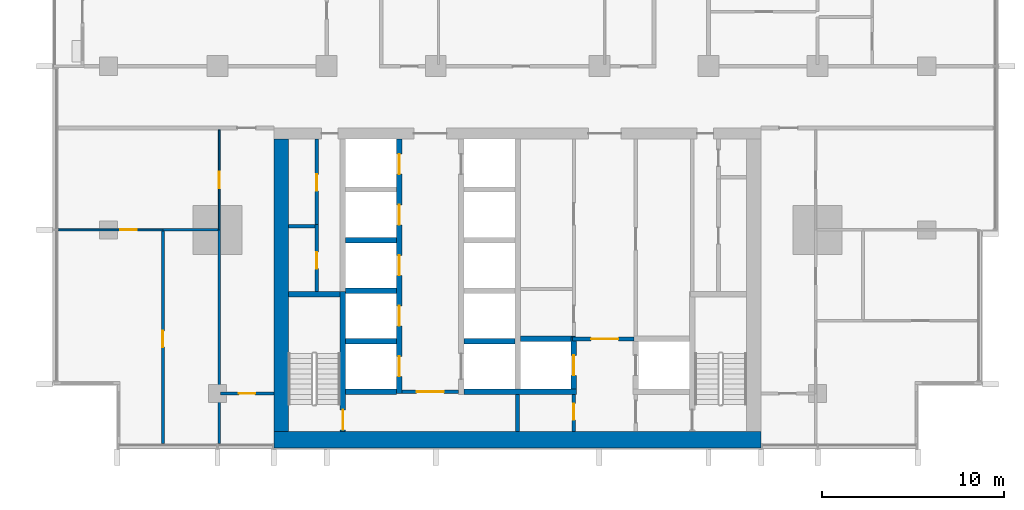
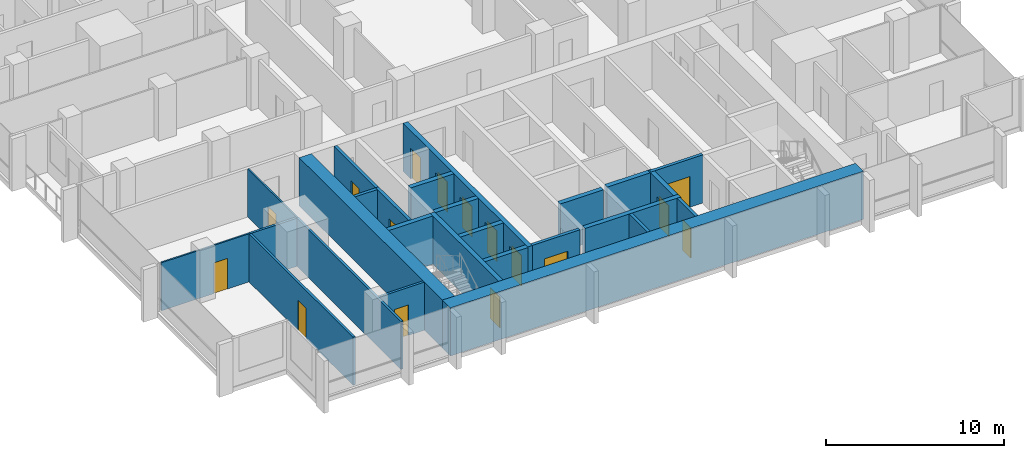
# One storey, part 7 of 17: 26 walls, 16 doors, 16 openings.
"""IFC4 building model written with IfcOpenShell, lengths in metres."""

from ifc_helpers import new_model, si_unit, direction, frame, frame_2d, origin, place, context, subcontext, project, spatial, rectangle, extrude, material, layer, layer_set, type_object, element, fill, save


model = new_model("IFC4")

# Units and contexts
model_context = context("Model", 3, precision=1e-05, world=origin(), true_north=direction((0.0, 1.0)))
body_context = subcontext(model_context, "Body", "Model", "MODEL_VIEW")
ifc_project = project(units=[si_unit("LENGTHUNIT", "METRE"), si_unit("AREAUNIT", "SQUARE_METRE"), si_unit("VOLUMEUNIT", "CUBIC_METRE"), si_unit("PLANEANGLEUNIT", "RADIAN"), si_unit("MASSUNIT", "GRAM", prefix="KILO")], contexts=[model_context])

# Site, building, storey
site_placement = place(None, origin())
site = spatial("IfcSite", under=ifc_project, at=site_placement, CompositionType="ELEMENT")
building_placement = place(site_placement, origin())
building = spatial("IfcBuilding", under=site, at=building_placement, Name="Finial Court Residences", CompositionType="ELEMENT")
storey_placement = place(building_placement, frame((0.0, 0.0, 91.89990234375)))
storey = spatial("IfcBuildingStorey", under=building, at=storey_placement, Name="L22", CompositionType="ELEMENT", Elevation=91.89990234375)

# Walls
ifc_material_1 = material(Name="Concrete C70/85", Category="concrete")
ifc_layer_1 = layer(ifc_material_1, 0.800048828125)
ifc_layer_set_1 = layer_set([ifc_layer_1], Name="Core outer wall 800 Concrete C70/85")
wall_type_1 = type_object("IfcWallType", Name="Core outer wall 800 Concrete C70/85", PredefinedType="SHEAR", material=ifc_layer_set_1)
wall_1_placement = place(storey_placement, frame((-13.0, -24.60009765625, 0.0), z_axis=(0.0, 0.0, 1.0), x_axis=(0.0, 1.0, 0.0)))
element("IfcWall", 1, at=wall_1_placement, inside=storey, type_object=wall_type_1, Name="Core outer wall L22-03", PredefinedType="SHEAR", context=body_context, shape_type="SweptSolid", body=[
    extrude(rectangle(XDim=16.10009765625, YDim=0.800048828125, at=frame_2d((8.050048828125, 0.0))), origin(), (0.0, 0.0, 1.0), 3.300048828125),
])
ifc_layer_2 = layer(ifc_material_1, 0.89990234375)
ifc_layer_set_2 = layer_set([ifc_layer_2], Name="Core south facade wall 900 Concrete C70/85")
wall_type_2 = type_object("IfcWallType", Name="Core south facade wall 900 Concrete C70/85", PredefinedType="SHEAR", material=ifc_layer_set_2)
wall_2_placement = place(storey_placement, frame((-13.39990234375, -25.050048828125, 0.0), z_axis=(0.0, 0.0, 1.0), x_axis=(1.0, 0.0, 0.0)))
element("IfcWall", 2, at=wall_2_placement, inside=storey, type_object=wall_type_2, Name="Core outer wall L22-01", PredefinedType="SHEAR", context=body_context, shape_type="SweptSolid", body=[
    extrude(rectangle(XDim=26.7998046875, YDim=0.89990234375, at=frame_2d((13.39990234375, 0.0))), origin(), (0.0, 0.0, 1.0), 3.300048828125),
])

# Wall, opening, door
ifc_material_2 = material(Name="Fire-rated gypsum board partition")
ifc_layer_3 = layer(ifc_material_2, 0.199951171875)
ifc_layer_set_3 = layer_set([ifc_layer_3], Name="Firefighting lobby wall 200 EI 120")
wall_type_3 = type_object("IfcWallType", Name="Firefighting lobby wall 200 EI 120", PredefinedType="PARTITIONING", material=ifc_layer_set_3)
wall_3_placement = place(storey_placement, frame((6.39990234375, -19.5, 0.0), z_axis=(0.0, 0.0, 1.0), x_axis=(-1.0, 0.0, 0.0)))
wall_3 = element("IfcWall", 3, at=wall_3_placement, inside=storey, type_object=wall_type_3, Name="Core partition L22-08", PredefinedType="PARTITIONING", context=body_context, shape_type="SweptSolid", body=[
    extrude(rectangle(XDim=3.375, YDim=0.199951171875, at=frame_2d((1.6875, 0.0))), origin(), (0.0, 0.0, 1.0), 3.300048828125),
])
opening_1_placement = place(wall_3_placement, frame((0.85009765625, 0.0, 0.0)))
opening_1 = element("IfcOpeningElement", 4, at=opening_1_placement, cuts=wall_3, Name="Opening L22-C02", PredefinedType="OPENING", context=body_context, shape_type="SweptSolid", body=[
    extrude(rectangle(XDim=1.5, YDim=2.10009765625, at=frame_2d((0.75, 1.050048828125))), frame((0.0, 0.10986328125, 0.0), z_axis=(0.0, -1.0, 0.0), x_axis=(1.0, 0.0, 0.0)), (0.0, 0.0, 1.0), 0.219970703125),
])
ifc_material_3 = material(Name="Steel fire door", Category="steel")
door_type_1 = type_object("IfcDoorType", Name="Firefighting lobby door 1500 x 2100 EI 90", OperationType="DOUBLE_DOOR_SINGLE_SWING", PredefinedType="DOOR", material=ifc_material_3)
door_1_placement = place(opening_1_placement, origin())
door_1 = element("IfcDoor", 5, at=door_1_placement, inside=storey, type_object=door_type_1, Name="Firefighting lobby door L22-C02", OperationType="DOUBLE_DOOR_SINGLE_SWING", OverallHeight=2.10009765625, OverallWidth=1.5, PredefinedType="DOOR", context=body_context, shape_type="SweptSolid", body=[
    extrude(rectangle(XDim=1.5, YDim=2.10009765625, at=frame_2d((0.75, 1.050048828125))), frame((0.0, 0.02490234375, 0.0), z_axis=(0.0, -1.0, 0.0), x_axis=(1.0, 0.0, 0.0)), (0.0, 0.0, 1.0), 0.050048828125),
])
fill(opening_1, door_1)

wall_4_placement = place(storey_placement, frame((3.10009765625, -24.60009765625, 0.0), z_axis=(0.0, 0.0, 1.0), x_axis=(0.0, 1.0, 0.0)))
wall_4 = element("IfcWall", 6, at=wall_4_placement, inside=storey, type_object=wall_type_3, Name="Core partition L22-29", PredefinedType="PARTITIONING", context=body_context, shape_type="SweptSolid", body=[
    extrude(rectangle(XDim=2.050048828125, YDim=0.199951171875, at=frame_2d((1.02490234375, 0.0))), origin(), (0.0, 0.0, 1.0), 3.300048828125),
])
opening_2_placement = place(wall_4_placement, frame((0.64990234375, 0.0, 0.0)))
opening_2 = element("IfcOpeningElement", 7, at=opening_2_placement, cuts=wall_4, Name="Opening L22-C06", PredefinedType="OPENING", context=body_context, shape_type="SweptSolid", body=[
    extrude(rectangle(XDim=0.89990234375, YDim=2.10009765625, at=frame_2d((0.449951171875, 1.050048828125))), frame((0.0, 0.10986328125, 0.0), z_axis=(0.0, -1.0, 0.0), x_axis=(1.0, 0.0, 0.0)), (0.0, 0.0, 1.0), 0.219970703125),
])
door_type_2 = type_object("IfcDoorType", Name="Riser room door 900 x 2100 EI 90", OperationType="NOTDEFINED", PredefinedType="DOOR", material=ifc_material_3)
door_2_placement = place(opening_2_placement, origin())
door_2 = element("IfcDoor", 8, at=door_2_placement, inside=storey, type_object=door_type_2, Name="Riser room door L22-C06", OperationType="SINGLE_SWING_LEFT", OverallHeight=2.10009765625, OverallWidth=0.89990234375, PredefinedType="DOOR", context=body_context, shape_type="SweptSolid", body=[
    extrude(rectangle(XDim=0.89990234375, YDim=2.10009765625, at=frame_2d((0.449951171875, 1.050048828125))), frame((0.0, 0.02490234375, 0.0), z_axis=(0.0, -1.0, 0.0), x_axis=(1.0, 0.0, 0.0)), (0.0, 0.0, 1.0), 0.050048828125),
])
fill(opening_2, door_2)

ifc_material_4 = material(Name="Gypsum board")
ifc_layer_4 = layer(ifc_material_4, 0.012451171875)
ifc_material_5 = material(Name="Mineral wool in light-gauge frame")
ifc_layer_5 = layer(ifc_material_5, 0.074951171875)
ifc_layer_6 = layer(ifc_material_4, 0.012451171875)
ifc_layer_set_4 = layer_set([ifc_layer_4, ifc_layer_5, ifc_layer_6], Name="Gypsum board partition 100")
wall_type_4 = type_object("IfcWallType", Name="Gypsum board partition 100", PredefinedType="PARTITIONING", material=ifc_layer_set_4)
wall_5_placement = place(storey_placement, frame((-25.25, -13.5, 0.0), z_axis=(0.0, 0.0, 1.0), x_axis=(1.0, 0.0, 0.0)))
wall_5 = element("IfcWall", 9, at=wall_5_placement, inside=storey, type_object=wall_type_4, Name="Partition L22-004", PredefinedType="PARTITIONING", context=body_context, shape_type="SweptSolid", body=[
    extrude(rectangle(XDim=5.75, YDim=0.10009765625, at=frame_2d((2.875, 0.0))), origin(), (0.0, 0.0, 1.0), 3.300048828125),
])
opening_3_placement = place(wall_5_placement, frame((3.39990234375, 0.0, 0.0)))
opening_3 = element("IfcOpeningElement", 10, at=opening_3_placement, cuts=wall_5, Name="Opening L22-D004", PredefinedType="OPENING", context=body_context, shape_type="SweptSolid", body=[
    extrude(rectangle(XDim=0.89990234375, YDim=2.10009765625, at=frame_2d((0.449951171875, 1.050048828125))), frame((0.0, 0.06005859375, 0.0), z_axis=(0.0, -1.0, 0.0), x_axis=(1.0, 0.0, 0.0)), (0.0, 0.0, 1.0), 0.1201171875),
])
ifc_material_6 = material(Name="Timber door leaf in timber frame", Category="wood")
door_type_3 = type_object("IfcDoorType", Name="Door set 900 x 2100", OperationType="SINGLE_SWING_LEFT", PredefinedType="DOOR", material=ifc_material_6)
door_3_placement = place(opening_3_placement, origin())
door_3 = element("IfcDoor", 11, at=door_3_placement, inside=storey, type_object=door_type_3, Name="Door L22-D004", OperationType="SINGLE_SWING_RIGHT", OverallHeight=2.10009765625, OverallWidth=0.89990234375, PredefinedType="DOOR", context=body_context, shape_type="SweptSolid", body=[
    extrude(rectangle(XDim=0.89990234375, YDim=2.10009765625, at=frame_2d((0.449951171875, 1.050048828125))), frame((0.0, 0.02490234375, 0.0), z_axis=(0.0, -1.0, 0.0), x_axis=(1.0, 0.0, 0.0)), (0.0, 0.0, 1.0), 0.050048828125),
])
fill(opening_3, door_3)

wall_6_placement = place(storey_placement, frame((-16.39990234375, -13.5, 0.0), z_axis=(0.0, 0.0, 1.0), x_axis=(0.0, 1.0, 0.0)))
wall_6 = element("IfcWall", 12, at=wall_6_placement, inside=storey, type_object=wall_type_4, Name="Partition L22-046", PredefinedType="PARTITIONING", context=body_context, shape_type="SweptSolid", body=[
    extrude(rectangle(XDim=5.5, YDim=0.10009765625, at=frame_2d((2.75, 0.0))), origin(), (0.0, 0.0, 1.0), 3.300048828125),
])
opening_4_placement = place(wall_6_placement, frame((2.300048828125, 0.0, 0.0)))
opening_4 = element("IfcOpeningElement", 13, at=opening_4_placement, cuts=wall_6, Name="Opening L22-D031", PredefinedType="OPENING", context=body_context, shape_type="SweptSolid", body=[
    extrude(rectangle(XDim=0.89990234375, YDim=2.10009765625, at=frame_2d((0.449951171875, 1.050048828125))), frame((0.0, 0.06005859375, 0.0), z_axis=(0.0, -1.0, 0.0), x_axis=(1.0, 0.0, 0.0)), (0.0, 0.0, 1.0), 0.1201171875),
])
door_4_placement = place(opening_4_placement, origin())
door_4 = element("IfcDoor", 14, at=door_4_placement, inside=storey, type_object=door_type_3, Name="Door L22-D031", OperationType="SINGLE_SWING_LEFT", OverallHeight=2.10009765625, OverallWidth=0.89990234375, PredefinedType="DOOR", context=body_context, shape_type="SweptSolid", body=[
    extrude(rectangle(XDim=0.89990234375, YDim=2.10009765625, at=frame_2d((0.449951171875, 1.050048828125))), frame((0.0, 0.02490234375, 0.0), z_axis=(0.0, -1.0, 0.0), x_axis=(1.0, 0.0, 0.0)), (0.0, 0.0, 1.0), 0.050048828125),
])
fill(opening_4, door_4)

ifc_material_7 = material(Name="Moisture-resistant gypsum board")
ifc_layer_7 = layer(ifc_material_7, 0.012451171875)
ifc_layer_8 = layer(ifc_material_5, 0.125)
ifc_layer_9 = layer(ifc_material_7, 0.012451171875)
ifc_layer_set_5 = layer_set([ifc_layer_7, ifc_layer_8, ifc_layer_9], Name="Gypsum board wet-area partition 150")
wall_type_5 = type_object("IfcWallType", Name="Gypsum board wet-area partition 150", PredefinedType="PARTITIONING", material=ifc_layer_set_5)
wall_7_placement = place(storey_placement, frame((-16.324951171875, -22.5, 0.0), z_axis=(0.0, 0.0, 1.0), x_axis=(1.0, 0.0, 0.0)))
wall_7 = element("IfcWall", 15, at=wall_7_placement, inside=storey, type_object=wall_type_5, Name="Partition L22-000", PredefinedType="PARTITIONING", context=body_context, shape_type="SweptSolid", body=[
    extrude(rectangle(XDim=2.925048828125, YDim=0.14990234375, at=frame_2d((1.46240234375, 0.0))), origin(), (0.0, 0.0, 1.0), 3.300048828125),
])
opening_5_placement = place(wall_7_placement, frame((1.0, 0.0, 0.0)))
opening_5 = element("IfcOpeningElement", 16, at=opening_5_placement, cuts=wall_7, Name="Opening L22-D001", PredefinedType="OPENING", context=body_context, shape_type="SweptSolid", body=[
    extrude(rectangle(XDim=0.89990234375, YDim=2.10009765625, at=frame_2d((0.449951171875, 1.050048828125))), frame((0.0, 0.0849609375, 0.0), z_axis=(0.0, -1.0, 0.0), x_axis=(1.0, 0.0, 0.0)), (0.0, 0.0, 1.0), 0.169921875),
])
door_5_placement = place(opening_5_placement, origin())
door_5 = element("IfcDoor", 17, at=door_5_placement, inside=storey, type_object=door_type_3, Name="Door L22-D001", OperationType="SINGLE_SWING_RIGHT", OverallHeight=2.10009765625, OverallWidth=0.89990234375, PredefinedType="DOOR", context=body_context, shape_type="SweptSolid", body=[
    extrude(rectangle(XDim=0.89990234375, YDim=2.10009765625, at=frame_2d((0.449951171875, 1.050048828125))), frame((0.0, 0.02490234375, 0.0), z_axis=(0.0, -1.0, 0.0), x_axis=(1.0, 0.0, 0.0)), (0.0, 0.0, 1.0), 0.050048828125),
])
fill(opening_5, door_5)

# Wall
wall_8_placement = place(storey_placement, frame((-19.5, -13.5, 0.0), z_axis=(0.0, 0.0, 1.0), x_axis=(1.0, 0.0, 0.0)))
element("IfcWall", 18, at=wall_8_placement, inside=storey, type_object=wall_type_5, Name="Partition L22-006", PredefinedType="PARTITIONING", context=body_context, shape_type="SweptSolid", body=[
    extrude(rectangle(XDim=3.02490234375, YDim=0.14990234375, at=frame_2d((1.512451171875, 0.0))), origin(), (0.0, 0.0, 1.0), 3.300048828125),
])

# Wall, opening, door
wall_9_placement = place(storey_placement, frame((-19.5, -25.25, 0.0), z_axis=(0.0, 0.0, 1.0), x_axis=(0.0, 1.0, 0.0)))
wall_9 = element("IfcWall", 19, at=wall_9_placement, inside=storey, type_object=wall_type_5, Name="Partition L22-042", PredefinedType="PARTITIONING", context=body_context, shape_type="SweptSolid", body=[
    extrude(rectangle(XDim=11.675048828125, YDim=0.14990234375, at=frame_2d((5.83740234375, 0.0))), origin(), (0.0, 0.0, 1.0), 3.300048828125),
])
opening_6_placement = place(wall_9_placement, frame((5.300048828125, 0.0, 0.0)))
opening_6 = element("IfcOpeningElement", 20, at=opening_6_placement, cuts=wall_9, Name="Opening L22-D029", PredefinedType="OPENING", context=body_context, shape_type="SweptSolid", body=[
    extrude(rectangle(XDim=0.89990234375, YDim=2.10009765625, at=frame_2d((0.449951171875, 1.050048828125))), frame((0.0, 0.0849609375, 0.0), z_axis=(0.0, -1.0, 0.0), x_axis=(1.0, 0.0, 0.0)), (0.0, 0.0, 1.0), 0.169921875),
])
door_6_placement = place(opening_6_placement, origin())
door_6 = element("IfcDoor", 21, at=door_6_placement, inside=storey, type_object=door_type_3, Name="Door L22-D029", OperationType="SINGLE_SWING_RIGHT", OverallHeight=2.10009765625, OverallWidth=0.89990234375, PredefinedType="DOOR", context=body_context, shape_type="SweptSolid", body=[
    extrude(rectangle(XDim=0.89990234375, YDim=2.10009765625, at=frame_2d((0.449951171875, 1.050048828125))), frame((0.0, 0.02490234375, 0.0), z_axis=(0.0, -1.0, 0.0), x_axis=(1.0, 0.0, 0.0)), (0.0, 0.0, 1.0), 0.050048828125),
])
fill(opening_6, door_6)

# Walls
wall_10_placement = place(storey_placement, frame((-16.39990234375, -25.25, 0.0), z_axis=(0.0, 0.0, 1.0), x_axis=(0.0, 1.0, 0.0)))
element("IfcWall", 22, at=wall_10_placement, inside=storey, type_object=wall_type_5, Name="Partition L22-047", PredefinedType="PARTITIONING", context=body_context, shape_type="SweptSolid", body=[
    extrude(rectangle(XDim=11.75, YDim=0.14990234375, at=frame_2d((5.875, 0.0))), origin(), (0.0, 0.0, 1.0), 3.300048828125),
])
ifc_layer_10 = layer(ifc_material_1, 0.300048828125)
ifc_layer_set_6 = layer_set([ifc_layer_10], Name="Lift shaft and stair wall 300 Concrete C70/85")
wall_type_6 = type_object("IfcWallType", Name="Lift shaft and stair wall 300 Concrete C70/85", PredefinedType="SHEAR", material=ifc_layer_set_6)
wall_11_placement = place(storey_placement, frame((-9.449951171875, -22.39990234375, 0.0), z_axis=(0.0, 0.0, 1.0), x_axis=(1.0, 0.0, 0.0)))
element("IfcWall", 23, at=wall_11_placement, inside=storey, type_object=wall_type_6, Name="Core wall L22-01", PredefinedType="SHEAR", context=body_context, shape_type="SweptSolid", body=[
    extrude(rectangle(XDim=2.800048828125, YDim=0.300048828125, at=frame_2d((1.39990234375, 0.0))), origin(), (0.0, 0.0, 1.0), 3.300048828125),
])
wall_12_placement = place(storey_placement, frame((-2.949951171875, -22.39990234375, 0.0), z_axis=(0.0, 0.0, 1.0), x_axis=(1.0, 0.0, 0.0)))
element("IfcWall", 24, at=wall_12_placement, inside=storey, type_object=wall_type_6, Name="Core wall L22-03", PredefinedType="SHEAR", context=body_context, shape_type="SweptSolid", body=[
    extrude(rectangle(XDim=6.199951171875, YDim=0.300048828125, at=frame_2d((3.10009765625, 0.0))), origin(), (0.0, 0.0, 1.0), 3.300048828125),
])
for number, where, z_axis, x_axis, name in (
    (25, (-9.449951171875, -19.6201171875, 0.0), (0.0, 0.0, 1.0), (1.0, 0.0, 0.0), "Core wall L22-05"),
    (26, (-2.949951171875, -19.6201171875, 0.0), (0.0, 0.0, 1.0), (1.0, 0.0, 0.0), "Core wall L22-06"),
):
    element("IfcWall", number, at=place(storey_placement, frame(where, z_axis=z_axis, x_axis=x_axis)), inside=storey, type_object=wall_type_6, Name=name, PredefinedType="SHEAR", context=body_context, shape_type="SweptSolid", body=[
        extrude(rectangle(XDim=2.800048828125, YDim=0.300048828125, at=frame_2d((1.39990234375, 0.0))), origin(), (0.0, 0.0, 1.0), 3.300048828125),
    ])
wall_13_placement = place(storey_placement, frame((0.14990234375, -19.5, 0.0), z_axis=(0.0, 0.0, 1.0), x_axis=(1.0, 0.0, 0.0)))
element("IfcWall", 27, at=wall_13_placement, inside=storey, type_object=wall_type_6, Name="Core wall L22-07", PredefinedType="SHEAR", context=body_context, shape_type="SweptSolid", body=[
    extrude(rectangle(XDim=3.025146484375, YDim=0.300048828125, at=frame_2d((1.5126953125, 0.0))), origin(), (0.0, 0.0, 1.0), 3.300048828125),
])
wall_14_placement = place(storey_placement, frame((-12.60009765625, -17.050048828125, 0.0), z_axis=(0.0, 0.0, 1.0), x_axis=(1.0, 0.0, 0.0)))
element("IfcWall", 28, at=wall_14_placement, inside=storey, type_object=wall_type_6, Name="Core wall L22-10", PredefinedType="SHEAR", context=body_context, shape_type="SweptSolid", body=[
    extrude(rectangle(XDim=2.85009765625, YDim=0.300048828125, at=frame_2d((1.425048828125, 0.0))), origin(), (0.0, 0.0, 1.0), 3.300048828125),
])
for number, where, z_axis, x_axis, name in (
    (29, (-9.449951171875, -16.840087890625, 0.0), (0.0, 0.0, 1.0), (1.0, 0.0, 0.0), "Core wall L22-12"),
    (30, (-9.449951171875, -14.06005859375, 0.0), (0.0, 0.0, 1.0), (1.0, 0.0, 0.0), "Core wall L22-15"),
):
    element("IfcWall", number, at=place(storey_placement, frame(where, z_axis=z_axis, x_axis=x_axis)), inside=storey, type_object=wall_type_6, Name=name, PredefinedType="SHEAR", context=body_context, shape_type="SweptSolid", body=[
        extrude(rectangle(XDim=2.800048828125, YDim=0.300048828125, at=frame_2d((1.39990234375, 0.0))), origin(), (0.0, 0.0, 1.0), 3.300048828125),
    ])

# Wall, opening, door
wall_15_placement = place(storey_placement, frame((-9.60009765625, -24.60009765625, 0.0), z_axis=(0.0, 0.0, 1.0), x_axis=(0.0, 1.0, 0.0)))
wall_15 = element("IfcWall", 31, at=wall_15_placement, inside=storey, type_object=wall_type_6, Name="Core wall L22-23", PredefinedType="SHEAR", context=body_context, shape_type="SweptSolid", body=[
    extrude(rectangle(XDim=7.7001953125, YDim=0.300048828125, at=frame_2d((3.85009765625, 0.0))), origin(), (0.0, 0.0, 1.0), 3.300048828125),
])
opening_7_placement = place(wall_15_placement, frame((0.10009765625, 0.0, 0.0)))
opening_7 = element("IfcOpeningElement", 32, at=opening_7_placement, cuts=wall_15, Name="Opening L22-C16", PredefinedType="OPENING", context=body_context, shape_type="SweptSolid", body=[
    extrude(rectangle(XDim=1.10009765625, YDim=2.10009765625, at=frame_2d((0.550048828125, 1.050048828125))), frame((0.0, 0.159912109375, 0.0), z_axis=(0.0, -1.0, 0.0), x_axis=(1.0, 0.0, 0.0)), (0.0, 0.0, 1.0), 0.320068359375),
])
door_type_4 = type_object("IfcDoorType", Name="Stair door 1100 x 2100 EI 90", OperationType="NOTDEFINED", PredefinedType="DOOR", material=ifc_material_3)
door_7_placement = place(opening_7_placement, origin())
door_7 = element("IfcDoor", 33, at=door_7_placement, inside=storey, type_object=door_type_4, Name="Stair door L22-C16", OperationType="SINGLE_SWING_LEFT", OverallHeight=2.10009765625, OverallWidth=1.10009765625, PredefinedType="DOOR", context=body_context, shape_type="SweptSolid", body=[
    extrude(rectangle(XDim=1.10009765625, YDim=2.10009765625, at=frame_2d((0.550048828125, 1.050048828125))), frame((0.0, 0.02490234375, 0.0), z_axis=(0.0, -1.0, 0.0), x_axis=(1.0, 0.0, 0.0)), (0.0, 0.0, 1.0), 0.050048828125),
])
fill(opening_7, door_7)

# Wall, openings, doors
wall_16_placement = place(storey_placement, frame((-6.5, -22.5, 0.0), z_axis=(0.0, 0.0, 1.0), x_axis=(0.0, 1.0, 0.0)))
wall_16 = element("IfcWall", 34, at=wall_16_placement, inside=storey, type_object=wall_type_6, Name="Core wall L22-25", PredefinedType="SHEAR", context=body_context, shape_type="SweptSolid", body=[
    extrude(rectangle(XDim=14.0, YDim=0.300048828125, at=frame_2d((7.0, 0.0))), origin(), (0.0, 0.0, 1.0), 3.300048828125),
])
opening_8_placement = place(wall_16_placement, frame((0.93994140625, 0.0, 0.0)))
opening_8 = element("IfcOpeningElement", 35, at=opening_8_placement, cuts=wall_16, Name="Opening L22-LD03", PredefinedType="OPENING", context=body_context, shape_type="SweptSolid", body=[
    extrude(rectangle(XDim=1.10009765625, YDim=2.10009765625, at=frame_2d((0.550048828125, 1.050048828125))), frame((0.0, 0.159912109375, 0.0), z_axis=(0.0, -1.0, 0.0), x_axis=(1.0, 0.0, 0.0)), (0.0, 0.0, 1.0), 0.320068359375),
])
opening_9_placement = place(wall_16_placement, frame((3.719970703125, 0.0, 0.0)))
opening_9 = element("IfcOpeningElement", 36, at=opening_9_placement, cuts=wall_16, Name="Opening L22-LD04", PredefinedType="OPENING", context=body_context, shape_type="SweptSolid", body=[
    extrude(rectangle(XDim=1.10009765625, YDim=2.10009765625, at=frame_2d((0.550048828125, 1.050048828125))), frame((0.0, 0.159912109375, 0.0), z_axis=(0.0, -1.0, 0.0), x_axis=(1.0, 0.0, 0.0)), (0.0, 0.0, 1.0), 0.320068359375),
])
opening_10_placement = place(wall_16_placement, frame((6.5, 0.0, 0.0)))
opening_10 = element("IfcOpeningElement", 37, at=opening_10_placement, cuts=wall_16, Name="Opening L22-LD05", PredefinedType="OPENING", context=body_context, shape_type="SweptSolid", body=[
    extrude(rectangle(XDim=1.10009765625, YDim=2.10009765625, at=frame_2d((0.550048828125, 1.050048828125))), frame((0.0, 0.159912109375, 0.0), z_axis=(0.0, -1.0, 0.0), x_axis=(1.0, 0.0, 0.0)), (0.0, 0.0, 1.0), 0.320068359375),
])
opening_11_placement = place(wall_16_placement, frame((9.280029296875, 0.0, 0.0)))
opening_11 = element("IfcOpeningElement", 38, at=opening_11_placement, cuts=wall_16, Name="Opening L22-LD06", PredefinedType="OPENING", context=body_context, shape_type="SweptSolid", body=[
    extrude(rectangle(XDim=1.10009765625, YDim=2.10009765625, at=frame_2d((0.550048828125, 1.050048828125))), frame((0.0, 0.159912109375, 0.0), z_axis=(0.0, -1.0, 0.0), x_axis=(1.0, 0.0, 0.0)), (0.0, 0.0, 1.0), 0.320068359375),
])
opening_12_placement = place(wall_16_placement, frame((12.06005859375, 0.0, 0.0)))
opening_12 = element("IfcOpeningElement", 39, at=opening_12_placement, cuts=wall_16, Name="Opening L22-LD07", PredefinedType="OPENING", context=body_context, shape_type="SweptSolid", body=[
    extrude(rectangle(XDim=1.10009765625, YDim=2.10009765625, at=frame_2d((0.550048828125, 1.050048828125))), frame((0.0, 0.159912109375, 0.0), z_axis=(0.0, -1.0, 0.0), x_axis=(1.0, 0.0, 0.0)), (0.0, 0.0, 1.0), 0.320068359375),
])
ifc_material_8 = material(Name="Stainless steel lift door", Category="steel")
door_type_5 = type_object("IfcDoorType", Name="Lift landing door 1100 x 2100 EI 90", OperationType="DOUBLE_DOOR_SLIDING", PredefinedType="DOOR", material=ifc_material_8)
door_8_placement = place(opening_8_placement, origin())
door_8 = element("IfcDoor", 40, at=door_8_placement, inside=storey, type_object=door_type_5, Name="Lift landing door LR1 L22", OperationType="DOUBLE_DOOR_SLIDING", OverallHeight=2.10009765625, OverallWidth=1.10009765625, PredefinedType="DOOR", context=body_context, shape_type="SweptSolid", body=[
    extrude(rectangle(XDim=1.10009765625, YDim=2.10009765625, at=frame_2d((0.550048828125, 1.050048828125))), frame((0.0, 0.02490234375, 0.0), z_axis=(0.0, -1.0, 0.0), x_axis=(1.0, 0.0, 0.0)), (0.0, 0.0, 1.0), 0.050048828125),
])
fill(opening_8, door_8)
door_9_placement = place(opening_9_placement, origin())
door_9 = element("IfcDoor", 41, at=door_9_placement, inside=storey, type_object=door_type_5, Name="Lift landing door LR2 L22", OperationType="DOUBLE_DOOR_SLIDING", OverallHeight=2.10009765625, OverallWidth=1.10009765625, PredefinedType="DOOR", context=body_context, shape_type="SweptSolid", body=[
    extrude(rectangle(XDim=1.10009765625, YDim=2.10009765625, at=frame_2d((0.550048828125, 1.050048828125))), frame((0.0, 0.02490234375, 0.0), z_axis=(0.0, -1.0, 0.0), x_axis=(1.0, 0.0, 0.0)), (0.0, 0.0, 1.0), 0.050048828125),
])
fill(opening_9, door_9)
door_10_placement = place(opening_10_placement, origin())
door_10 = element("IfcDoor", 42, at=door_10_placement, inside=storey, type_object=door_type_5, Name="Lift landing door LR3 L22", OperationType="DOUBLE_DOOR_SLIDING", OverallHeight=2.10009765625, OverallWidth=1.10009765625, PredefinedType="DOOR", context=body_context, shape_type="SweptSolid", body=[
    extrude(rectangle(XDim=1.10009765625, YDim=2.10009765625, at=frame_2d((0.550048828125, 1.050048828125))), frame((0.0, 0.02490234375, 0.0), z_axis=(0.0, -1.0, 0.0), x_axis=(1.0, 0.0, 0.0)), (0.0, 0.0, 1.0), 0.050048828125),
])
fill(opening_10, door_10)
door_11_placement = place(opening_11_placement, origin())
door_11 = element("IfcDoor", 43, at=door_11_placement, inside=storey, type_object=door_type_5, Name="Lift landing door LR4 L22", OperationType="DOUBLE_DOOR_SLIDING", OverallHeight=2.10009765625, OverallWidth=1.10009765625, PredefinedType="DOOR", context=body_context, shape_type="SweptSolid", body=[
    extrude(rectangle(XDim=1.10009765625, YDim=2.10009765625, at=frame_2d((0.550048828125, 1.050048828125))), frame((0.0, 0.02490234375, 0.0), z_axis=(0.0, -1.0, 0.0), x_axis=(1.0, 0.0, 0.0)), (0.0, 0.0, 1.0), 0.050048828125),
])
fill(opening_11, door_11)
door_12_placement = place(opening_12_placement, origin())
door_12 = element("IfcDoor", 44, at=door_12_placement, inside=storey, type_object=door_type_5, Name="Lift landing door LR5 L22", OperationType="DOUBLE_DOOR_SLIDING", OverallHeight=2.10009765625, OverallWidth=1.10009765625, PredefinedType="DOOR", context=body_context, shape_type="SweptSolid", body=[
    extrude(rectangle(XDim=1.10009765625, YDim=2.10009765625, at=frame_2d((0.550048828125, 1.050048828125))), frame((0.0, 0.02490234375, 0.0), z_axis=(0.0, -1.0, 0.0), x_axis=(1.0, 0.0, 0.0)), (0.0, 0.0, 1.0), 0.050048828125),
])
fill(opening_12, door_12)

# Wall, opening, door
wall_17_placement = place(storey_placement, frame((3.10009765625, -22.25, 0.0), z_axis=(0.0, 0.0, 1.0), x_axis=(0.0, 1.0, 0.0)))
wall_17 = element("IfcWall", 45, at=wall_17_placement, inside=storey, type_object=wall_type_6, Name="Core wall L22-30", PredefinedType="SHEAR", context=body_context, shape_type="SweptSolid", body=[
    extrude(rectangle(XDim=2.85009765625, YDim=0.300048828125, at=frame_2d((1.425048828125, 0.0))), origin(), (0.0, 0.0, 1.0), 3.300048828125),
])
opening_13_placement = place(wall_17_placement, frame((0.75, 0.0, 0.0)))
opening_13 = element("IfcOpeningElement", 46, at=opening_13_placement, cuts=wall_17, Name="Opening L22-LD01", PredefinedType="OPENING", context=body_context, shape_type="SweptSolid", body=[
    extrude(rectangle(XDim=1.10009765625, YDim=2.10009765625, at=frame_2d((0.550048828125, 1.050048828125))), frame((0.0, 0.159912109375, 0.0), z_axis=(0.0, -1.0, 0.0), x_axis=(1.0, 0.0, 0.0)), (0.0, 0.0, 1.0), 0.320068359375),
])
door_13_placement = place(opening_13_placement, origin())
door_13 = element("IfcDoor", 47, at=door_13_placement, inside=storey, type_object=door_type_5, Name="Lift landing door FF1 L22", OperationType="DOUBLE_DOOR_SLIDING", OverallHeight=2.10009765625, OverallWidth=1.10009765625, PredefinedType="DOOR", context=body_context, shape_type="SweptSolid", body=[
    extrude(rectangle(XDim=1.10009765625, YDim=2.10009765625, at=frame_2d((0.550048828125, 1.050048828125))), frame((0.0, 0.02490234375, 0.0), z_axis=(0.0, -1.0, 0.0), x_axis=(1.0, 0.0, 0.0)), (0.0, 0.0, 1.0), 0.050048828125),
])
fill(opening_13, door_13)

# Wall
ifc_layer_11 = layer(ifc_material_2, 0.199951171875)
ifc_layer_set_7 = layer_set([ifc_layer_11], Name="Riser room wall 200 EI 120")
wall_type_7 = type_object("IfcWallType", Name="Riser room wall 200 EI 120", PredefinedType="PARTITIONING", material=ifc_layer_set_7)
wall_18_placement = place(storey_placement, frame((-12.60009765625, -13.300048828125, 0.0), z_axis=(0.0, 0.0, 1.0), x_axis=(1.0, 0.0, 0.0)))
element("IfcWall", 48, at=wall_18_placement, inside=storey, type_object=wall_type_7, Name="Core partition L22-17", PredefinedType="PARTITIONING", context=body_context, shape_type="SweptSolid", body=[
    extrude(rectangle(XDim=1.4501953125, YDim=0.199951171875, at=frame_2d((0.72509765625, 0.0))), origin(), (0.0, 0.0, 1.0), 3.300048828125),
])

# Wall, opening, door
wall_19_placement = place(storey_placement, frame((-11.050048828125, -13.39990234375, 0.0), z_axis=(0.0, 0.0, 1.0), x_axis=(0.0, 1.0, 0.0)))
wall_19 = element("IfcWall", 49, at=wall_19_placement, inside=storey, type_object=wall_type_7, Name="Core partition L22-22", PredefinedType="PARTITIONING", context=body_context, shape_type="SweptSolid", body=[
    extrude(rectangle(XDim=4.89990234375, YDim=0.199951171875, at=frame_2d((2.449951171875, 0.0))), origin(), (0.0, 0.0, 1.0), 3.300048828125),
])
opening_14_placement = place(wall_19_placement, frame((2.050048828125, 0.0, 0.0)))
opening_14 = element("IfcOpeningElement", 50, at=opening_14_placement, cuts=wall_19, Name="Opening L22-C07", PredefinedType="OPENING", context=body_context, shape_type="SweptSolid", body=[
    extrude(rectangle(XDim=0.89990234375, YDim=2.10009765625, at=frame_2d((0.449951171875, 1.050048828125))), frame((0.0, 0.10986328125, 0.0), z_axis=(0.0, -1.0, 0.0), x_axis=(1.0, 0.0, 0.0)), (0.0, 0.0, 1.0), 0.219970703125),
])
door_14_placement = place(opening_14_placement, origin())
door_14 = element("IfcDoor", 51, at=door_14_placement, inside=storey, type_object=door_type_2, Name="Riser room door L22-C07", OperationType="SINGLE_SWING_LEFT", OverallHeight=2.10009765625, OverallWidth=0.89990234375, PredefinedType="DOOR", context=body_context, shape_type="SweptSolid", body=[
    extrude(rectangle(XDim=0.89990234375, YDim=2.10009765625, at=frame_2d((0.449951171875, 1.050048828125))), frame((0.0, 0.02490234375, 0.0), z_axis=(0.0, -1.0, 0.0), x_axis=(1.0, 0.0, 0.0)), (0.0, 0.0, 1.0), 0.050048828125),
])
fill(opening_14, door_14)

# Wall
wall_20_placement = place(storey_placement, frame((0.0, -24.60009765625, 0.0), z_axis=(0.0, 0.0, 1.0), x_axis=(0.0, 1.0, 0.0)))
element("IfcWall", 52, at=wall_20_placement, inside=storey, type_object=wall_type_7, Name="Core partition L22-27", PredefinedType="PARTITIONING", context=body_context, shape_type="SweptSolid", body=[
    extrude(rectangle(XDim=2.050048828125, YDim=0.199951171875, at=frame_2d((1.02490234375, 0.0))), origin(), (0.0, 0.0, 1.0), 3.300048828125),
])

# Wall, opening, door
ifc_layer_12 = layer(ifc_material_2, 0.199951171875)
ifc_layer_set_8 = layer_set([ifc_layer_12], Name="Stair passage wall 200 EI 180")
wall_type_8 = type_object("IfcWallType", Name="Stair passage wall 200 EI 180", PredefinedType="PARTITIONING", material=ifc_layer_set_8)
wall_21_placement = place(storey_placement, frame((-3.25, -22.39990234375, 0.0), z_axis=(0.0, 0.0, 1.0), x_axis=(-1.0, 0.0, 0.0)))
wall_21 = element("IfcWall", 53, at=wall_21_placement, inside=storey, type_object=wall_type_8, Name="Core partition L22-02", PredefinedType="PARTITIONING", context=body_context, shape_type="SweptSolid", body=[
    extrude(rectangle(XDim=3.10009765625, YDim=0.199951171875, at=frame_2d((1.550048828125, 0.0))), origin(), (0.0, 0.0, 1.0), 3.300048828125),
])
opening_15_placement = place(wall_21_placement, frame((0.800048828125, 0.0, 0.0)))
opening_15 = element("IfcOpeningElement", 54, at=opening_15_placement, cuts=wall_21, Name="Opening L22-C03", PredefinedType="OPENING", context=body_context, shape_type="SweptSolid", body=[
    extrude(rectangle(XDim=1.5, YDim=2.10009765625, at=frame_2d((0.75, 1.050048828125))), frame((0.0, 0.10986328125, 0.0), z_axis=(0.0, -1.0, 0.0), x_axis=(1.0, 0.0, 0.0)), (0.0, 0.0, 1.0), 0.219970703125),
])
door_type_6 = type_object("IfcDoorType", Name="Lift lobby door 1500 x 2100 EI 60", OperationType="DOUBLE_DOOR_SINGLE_SWING", PredefinedType="DOOR", material=ifc_material_3)
door_15_placement = place(opening_15_placement, origin())
door_15 = element("IfcDoor", 55, at=door_15_placement, inside=storey, type_object=door_type_6, Name="Lift lobby door L22-C03", OperationType="DOUBLE_DOOR_SINGLE_SWING", OverallHeight=2.10009765625, OverallWidth=1.5, PredefinedType="DOOR", context=body_context, shape_type="SweptSolid", body=[
    extrude(rectangle(XDim=1.5, YDim=2.10009765625, at=frame_2d((0.75, 1.050048828125))), frame((0.0, 0.02490234375, 0.0), z_axis=(0.0, -1.0, 0.0), x_axis=(1.0, 0.0, 0.0)), (0.0, 0.0, 1.0), 0.050048828125),
])
fill(opening_15, door_15)

wall_22_placement = place(storey_placement, frame((-11.050048828125, -16.89990234375, 0.0), z_axis=(0.0, 0.0, 1.0), x_axis=(0.0, 1.0, 0.0)))
wall_22 = element("IfcWall", 56, at=wall_22_placement, inside=storey, type_object=wall_type_8, Name="Core partition L22-21", PredefinedType="PARTITIONING", context=body_context, shape_type="SweptSolid", body=[
    extrude(rectangle(XDim=3.699951171875, YDim=0.199951171875, at=frame_2d((1.85009765625, 0.0))), origin(), (0.0, 0.0, 1.0), 3.300048828125),
])
opening_16_placement = place(wall_22_placement, frame((1.27490234375, 0.0, 0.0)))
opening_16 = element("IfcOpeningElement", 57, at=opening_16_placement, cuts=wall_22, Name="Opening L22-C12", PredefinedType="OPENING", context=body_context, shape_type="SweptSolid", body=[
    extrude(rectangle(XDim=0.89990234375, YDim=2.10009765625, at=frame_2d((0.449951171875, 1.050048828125))), frame((0.0, 0.10986328125, 0.0), z_axis=(0.0, -1.0, 0.0), x_axis=(1.0, 0.0, 0.0)), (0.0, 0.0, 1.0), 0.219970703125),
])
door_type_7 = type_object("IfcDoorType", Name="Core room door 900 x 2100 EI 60", OperationType="NOTDEFINED", PredefinedType="DOOR", material=ifc_material_3)
door_16_placement = place(opening_16_placement, origin())
door_16 = element("IfcDoor", 58, at=door_16_placement, inside=storey, type_object=door_type_7, Name="Core room door L22-C12", OperationType="SINGLE_SWING_LEFT", OverallHeight=2.10009765625, OverallWidth=0.89990234375, PredefinedType="DOOR", context=body_context, shape_type="SweptSolid", body=[
    extrude(rectangle(XDim=0.89990234375, YDim=2.10009765625, at=frame_2d((0.449951171875, 1.050048828125))), frame((0.0, 0.02490234375, 0.0), z_axis=(0.0, -1.0, 0.0), x_axis=(1.0, 0.0, 0.0)), (0.0, 0.0, 1.0), 0.050048828125),
])
fill(opening_16, door_16)

save(model, "model.ifc")
